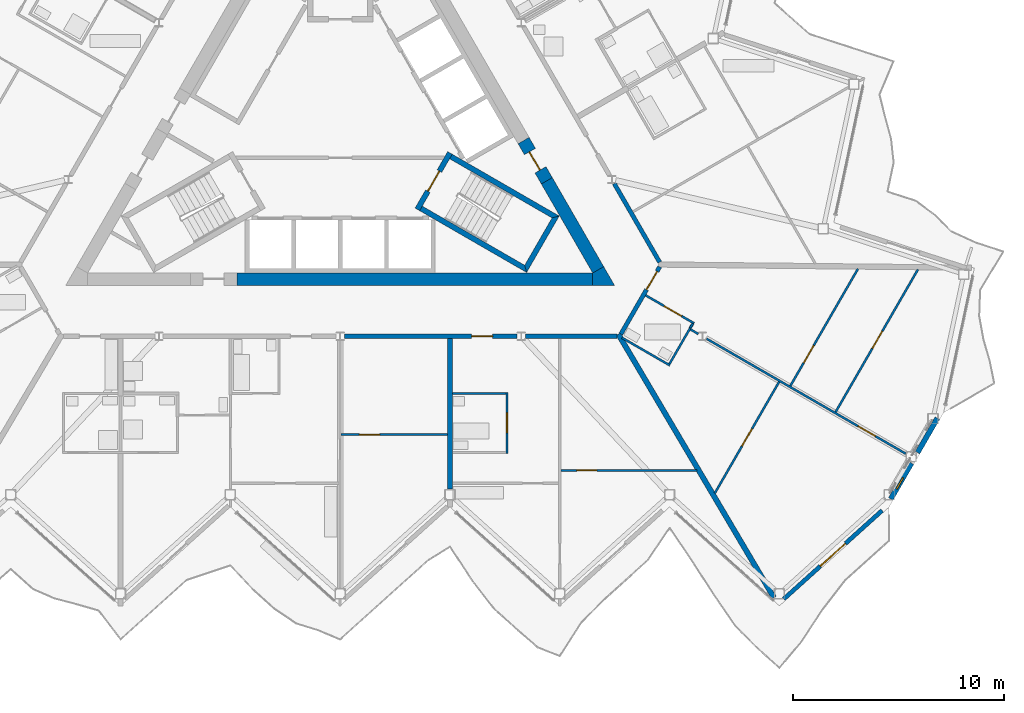
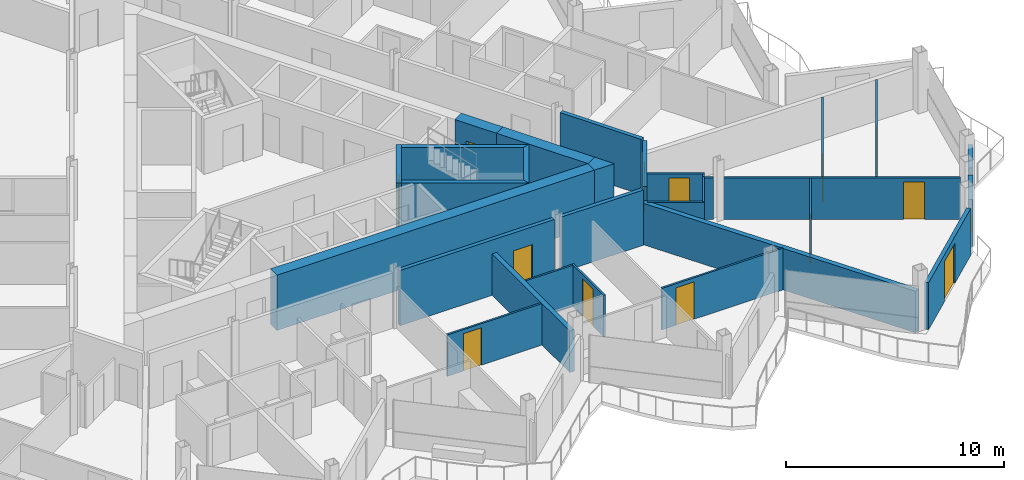
# One storey, part 15 of 26: 30 walls, 13 doors, 1 window, 14 openings.
"""IFC4 building model written with IfcOpenShell, lengths in metres."""

import ifcopenshell
import ifcopenshell.guid

model = None  # the IFC model being written
_history = None  # IfcOwnerHistory: only IFC2X3 demands one
_inside = {}  # id of a spatial element -> (the spatial element, [elements in it])
_under = {}  # id of a project, library or spatial element -> (it, [spatial elements below it])
_declared = {}  # id of a project -> (the project, [libraries it declares])
_typed = {}  # id of a type object -> (the type object, [elements of that type])
_made_of = {}  # id of a material, layer set ... -> (it, [elements and type objects made of it])


def new_model(schema):
    """Start an empty IFC model of exactly this schema.

    Asked for "IFC4X3", IfcOpenShell would pick the latest addendum, in which some entities
    have other attributes; the version numbers below select the first issue.
    IFC2X3 requires an IfcOwnerHistory on every rooted entity: one is made here for all.
    """
    global model, _history
    if schema == "IFC4X3":
        model = ifcopenshell.file(schema_version=(4, 3, 0, 0))
    else:
        model = ifcopenshell.file(schema=schema)
    _inside.clear()
    _under.clear()
    _declared.clear()
    _typed.clear()
    _made_of.clear()
    _history = None
    if model.schema == "IFC2X3":
        org = make("IfcOrganization", Name="unknown")
        user = make(
            "IfcPersonAndOrganization",
            ThePerson=make("IfcPerson", FamilyName="unknown"),
            TheOrganization=org,
        )
        app = make(
            "IfcApplication",
            ApplicationDeveloper=org,
            Version="unknown",
            ApplicationFullName="unknown",
            ApplicationIdentifier="unknown",
        )
        _history = make(
            "IfcOwnerHistory",
            OwningUser=user,
            OwningApplication=app,
            ChangeAction="ADDED",
            CreationDate=0,
        )
    return model


def make(cls, **values):
    """One entity of the class cls with the attributes given. An attribute that is None is left unset."""
    return model.create_entity(
        cls, **{name: value for name, value in values.items() if value is not None}
    )


def rooted(cls, **values):
    """An entity with a GlobalId (a new one), such as an element, a storey or a relation."""
    return make(cls, GlobalId=ifcopenshell.guid.new(), OwnerHistory=_history, **values)


def si_unit(unit_type, name, prefix=None):
    """IfcSIUnit, for example si_unit("LENGTHUNIT", "METRE", prefix="MILLI")."""
    return make("IfcSIUnit", UnitType=unit_type, Prefix=prefix, Name=name)


def assignment(units):
    """IfcUnitAssignment: the units of a project."""
    return None if units is None else make("IfcUnitAssignment", Units=units)


def point(xyz):
    """IfcCartesianPoint."""
    return None if xyz is None else make("IfcCartesianPoint", Coordinates=xyz)


def direction(xyz):
    """IfcDirection."""
    return None if xyz is None else make("IfcDirection", DirectionRatios=xyz)


def frame(location, z_axis=None, x_axis=None):
    """IfcAxis2Placement3D, a coordinate frame: its origin and axes. An axis left out is left unset."""
    return make(
        "IfcAxis2Placement3D",
        Location=point(location),
        Axis=direction(z_axis),
        RefDirection=direction(x_axis),
    )


def frame_2d(location, x_axis=None):
    """IfcAxis2Placement2D, a coordinate frame in the plane: its origin and x axis."""
    return make(
        "IfcAxis2Placement2D", Location=point(location), RefDirection=direction(x_axis)
    )


def origin():
    """The frame at (0, 0, 0) with its axes left unset."""
    return frame((0.0, 0.0, 0.0))


def place(relative_to, where):
    """IfcLocalPlacement: puts the frame where relative to a parent placement (None: the world)."""
    return make(
        "IfcLocalPlacement", PlacementRelTo=relative_to, RelativePlacement=where
    )


def context(
    kind, dimensions, precision=None, world=None, true_north=None, identifier=None
):
    """IfcGeometricRepresentationContext, for example the 3D "Model" context."""
    return make(
        "IfcGeometricRepresentationContext",
        ContextIdentifier=identifier,
        ContextType=kind,
        CoordinateSpaceDimension=dimensions,
        Precision=precision,
        WorldCoordinateSystem=world,
        TrueNorth=true_north,
    )


def subcontext(parent, identifier, kind, view, scale=None):
    """IfcGeometricRepresentationSubContext, for example "Body" below "Model"."""
    return make(
        "IfcGeometricRepresentationSubContext",
        ContextIdentifier=identifier,
        ContextType=kind,
        ParentContext=parent,
        TargetScale=scale,
        TargetView=view,
    )


def project(units=None, contexts=None):
    """IfcProject with its units and contexts."""
    return rooted(
        "IfcProject",
        Name="project",
        RepresentationContexts=contexts,
        UnitsInContext=assignment(units),
    )


def spatial(cls, under=None, at=None, **own):
    """A site, building, storey or space (cls), placed at a placement, below another one or the project."""
    s = rooted(cls, ObjectPlacement=at, **own)
    if under is not None:
        _under.setdefault(under.id(), (under, []))[1].append(s)
    return s


def polyline(points):
    """IfcPolyline through the points."""
    return make("IfcPolyline", Points=[point(p) for p in points])


def profile(cls, at=None, kind="AREA", **sizes):
    """A parametric profile (cls). Its sizes go by their IFC names, for example OverallWidth=200.0."""
    return make(cls, ProfileType=kind, Position=at, **sizes)


def rectangle(**sizes):
    """IfcRectangleProfileDef."""
    return profile("IfcRectangleProfileDef", **sizes)


def outline(outer, holes=None, kind="AREA"):
    """IfcArbitraryClosedProfileDef: a profile drawn as a closed curve; with holes, ...WithVoids."""
    if holes is None:
        return make("IfcArbitraryClosedProfileDef", ProfileType=kind, OuterCurve=outer)
    return make(
        "IfcArbitraryProfileDefWithVoids",
        ProfileType=kind,
        OuterCurve=outer,
        InnerCurves=holes,
    )


def extrude(swept, where, along, depth):
    """IfcExtrudedAreaSolid: the profile swept, set in the frame where, extruded along a direction by depth."""
    return make(
        "IfcExtrudedAreaSolid",
        SweptArea=swept,
        Position=where,
        ExtrudedDirection=direction(along),
        Depth=depth,
    )


def shape(context_of_items, identifier, shape_type, items):
    """IfcShapeRepresentation: the items that make up one representation, for example the "Body"."""
    return make(
        "IfcShapeRepresentation",
        ContextOfItems=context_of_items,
        RepresentationIdentifier=identifier,
        RepresentationType=shape_type,
        Items=items,
    )


def material(Name=None, Category=None):
    """IfcMaterial."""
    return make("IfcMaterial", Name=Name, Category=Category)


def layer(
    of_material, thickness, ventilated=None, Name=None, Category=None, Priority=None
):
    """IfcMaterialLayer: one layer of a wall or slab, of a material (None: an air gap)."""
    return make(
        "IfcMaterialLayer",
        Material=of_material,
        LayerThickness=thickness,
        IsVentilated=ventilated,
        Name=Name,
        Category=Category,
        Priority=Priority,
    )


def layer_set(layers, Name=None):
    """IfcMaterialLayerSet."""
    return make("IfcMaterialLayerSet", MaterialLayers=layers, LayerSetName=Name)


def made_of(thing, what):
    """Note that an element or type object is made of a material, layer set ...; save() writes the relation."""
    if what is not None:
        _made_of.setdefault(what.id(), (what, []))[1].append(thing)
    return thing


def type_object(cls, material=None, **own):
    """A type object (cls), such as IfcWallType, which elements share."""
    return made_of(rooted(cls, **own), material)


def element(
    cls,
    number,
    at=None,
    inside=None,
    cuts=None,
    type_object=None,
    material=None,
    context=None,
    identifier="Body",
    shape_type=None,
    held_by="IfcProductDefinitionShape",
    body=None,
    shapes=None,
    **own,
):
    """One element of the class cls, such as IfcWall. Its Tag is "e" and its number.

    at: its placement. inside: the storey or other place that contains it. cuts: it is an
    opening in that element (IfcRelVoidsElement). A single representation is given by context,
    identifier, shape_type and body (its items); several are given by shapes. held_by: the class
    of the entity that holds the representations. save() writes the other relations.
    """
    e = rooted(cls, Tag="e%d" % number, ObjectPlacement=at, **own)
    if body is not None:
        shapes = [shape(context, identifier, shape_type, body)]
    if shapes is not None:
        e.Representation = make(held_by, Representations=shapes)
    if inside is not None:
        _inside.setdefault(inside.id(), (inside, []))[1].append(e)
    if cuts is not None:
        rooted(
            "IfcRelVoidsElement", RelatingBuildingElement=cuts, RelatedOpeningElement=e
        )
    if type_object is not None:
        _typed.setdefault(type_object.id(), (type_object, []))[1].append(e)
    return made_of(e, material)


def fill(opening, filler):
    """IfcRelFillsElement: the door or window that sits in an opening."""
    return rooted(
        "IfcRelFillsElement",
        RelatingOpeningElement=opening,
        RelatedBuildingElement=filler,
    )


def aggregate(whole, parts):
    """IfcRelAggregates: a whole, such as a stair, and the parts it consists of."""
    return rooted("IfcRelAggregates", RelatingObject=whole, RelatedObjects=parts)


def save(model, path):
    """Write the relations noted so far, then the file.

    IfcRelAggregates (storeys below a building ...), IfcRelContainedInSpatialStructure (elements
    in a storey), IfcRelDefinesByType, IfcRelAssociatesMaterial and IfcRelDeclares: one each for
    every whole, place, type object, material and project.
    """
    for whole, parts in _under.values():
        aggregate(whole, parts)
    for where, things in _inside.values():
        rooted(
            "IfcRelContainedInSpatialStructure",
            RelatedElements=things,
            RelatingStructure=where,
        )
    for kind, things in _typed.values():
        rooted("IfcRelDefinesByType", RelatedObjects=things, RelatingType=kind)
    for what, things in _made_of.values():
        rooted("IfcRelAssociatesMaterial", RelatedObjects=things, RelatingMaterial=what)
    for by, libraries in _declared.values():
        rooted("IfcRelDeclares", RelatingContext=by, RelatedDefinitions=libraries)
    model.write(path)


model = new_model("IFC4")

# Units and contexts
model_context = context("Model", 3, precision=1e-05, world=origin(), true_north=direction((0.0, 1.0)))
body_context = subcontext(model_context, "Body", "Model", "MODEL_VIEW")
ifc_project = project(units=[si_unit("LENGTHUNIT", "METRE"), si_unit("AREAUNIT", "SQUARE_METRE"), si_unit("VOLUMEUNIT", "CUBIC_METRE"), si_unit("PLANEANGLEUNIT", "RADIAN"), si_unit("MASSUNIT", "GRAM", prefix="KILO")], contexts=[model_context])

# Site, building, storey
site_placement = place(None, origin())
site = spatial("IfcSite", under=ifc_project, at=site_placement, CompositionType="ELEMENT")
building_placement = place(site_placement, origin())
building = spatial("IfcBuilding", under=site, at=building_placement, Name="Cormorant Prow Tower", CompositionType="ELEMENT")
storey_placement = place(building_placement, frame((0.0, 0.0, 378.0)))
storey = spatial("IfcBuildingStorey", under=building, at=storey_placement, Name="L85", CompositionType="ELEMENT", Elevation=378.0)

# Walls
ifc_material_1 = material(Name="Concrete 8000 psi", Category="concrete")
ifc_layer_1 = layer(ifc_material_1, 0.60009765625)
ifc_layer_set_1 = layer_set([ifc_layer_1], Name="Concrete 8000 psi")
wall_type_1 = type_object("IfcWallType", Name="Core shear wall 600", PredefinedType="SHEAR", material=ifc_layer_set_1)
wall_1_placement = place(storey_placement, frame((-4.89208984375, -7.20556640625, 0.0), z_axis=(0.0, 0.0, 1.0), x_axis=(1.0, 0.0, 0.0)))
element("IfcWall", 1, at=wall_1_placement, inside=storey, type_object=wall_type_1, Name="Core wall", PredefinedType="SHEAR", context=body_context, shape_type="SweptSolid", body=[
    extrude(rectangle(XDim=16.852783203125, YDim=0.60009765625, at=frame_2d((8.42626953125, 0.0))), origin(), (0.0, 0.0, 1.0), 3.10009765625),
])
wall_2_placement = place(storey_placement, frame((12.220703125, -6.755615234375, 0.0), z_axis=(0.0, 0.0, 1.0), x_axis=(-0.50000604952, 0.866021911064, 0.0)))
element("IfcWall", 2, at=wall_2_placement, inside=storey, type_object=wall_type_1, Name="Core wall", PredefinedType="SHEAR", context=body_context, shape_type="SweptSolid", body=[
    extrude(rectangle(XDim=4.86865234375, YDim=0.60009765625, at=frame_2d((2.434326171875, 0.0))), origin(), (0.0, 0.0, 1.0), 3.10009765625),
])
wall_3_placement = place(storey_placement, origin())
element("IfcWall", 3, at=wall_3_placement, inside=storey, type_object=wall_type_1, Name="Core wall corner", PredefinedType="SHEAR", context=body_context, shape_type="SweptSolid", body=[
    extrude(outline(polyline([(11.960693359375, -7.505615234375), (11.960693359375, -6.905517578125), (12.48046875, -6.605712890625), (13.0, -7.505615234375), (11.960693359375, -7.505615234375)])), origin(), (0.0, 0.0, 1.0), 3.10009765625),
])

# Wall, opening, door
wall_4_placement = place(storey_placement, frame((9.786376953125, -2.539306640625, 0.0), z_axis=(0.0, 0.0, 1.0), x_axis=(-0.499981787252, 0.866035918664, 0.0)))
wall_4 = element("IfcWall", 4, at=wall_4_placement, inside=storey, type_object=wall_type_1, Name="Core wall door panel", PredefinedType="SHEAR", context=body_context, shape_type="SweptSolid", body=[
    extrude(rectangle(XDim=2.2001953125, YDim=0.60009765625, at=frame_2d((1.10009765625, 0.0))), origin(), (0.0, 0.0, 1.0), 3.10009765625),
])
opening_1_placement = place(wall_4_placement, frame((0.60009765625, 0.0, 0.0)))
opening_1 = element("IfcOpeningElement", 5, at=opening_1_placement, cuts=wall_4, Name="Opening L85-C15", PredefinedType="OPENING", context=body_context, shape_type="SweptSolid", body=[
    extrude(rectangle(XDim=1.0, YDim=2.10009765625, at=frame_2d((0.5, 1.050048828125))), frame((0.0, 0.31005859375, 0.0), z_axis=(0.0, -1.0, 0.0), x_axis=(1.0, 0.0, 0.0)), (0.0, 0.0, 1.0), 0.6201171875),
])
ifc_material_2 = material(Name="Painted steel", Category="steel")
door_type_1 = type_object("IfcDoorType", Name="Service door 1000x2100", OperationType="NOTDEFINED", PredefinedType="DOOR", material=ifc_material_2)
door_1_placement = place(opening_1_placement, origin())
door_1 = element("IfcDoor", 6, at=door_1_placement, inside=storey, type_object=door_type_1, Name="Core door, Electrical room", OperationType="SINGLE_SWING_LEFT", OverallHeight=2.10009765625, OverallWidth=1.0, PredefinedType="DOOR", context=body_context, shape_type="SweptSolid", body=[
    extrude(rectangle(XDim=1.0, YDim=2.10009765625, at=frame_2d((0.5, 1.050048828125))), frame((0.0, 0.05517578125, 0.0), z_axis=(0.0, -1.0, 0.0), x_axis=(1.0, 0.0, 0.0)), (0.0, 0.0, 1.0), 0.050048828125),
])
fill(opening_1, door_1)

ifc_material_3 = material(Name="Gypsum board corridor wall")
ifc_layer_2 = layer(ifc_material_3, 0.199951171875)
ifc_layer_set_2 = layer_set([ifc_layer_2], Name="Gypsum board corridor wall")
wall_type_2 = type_object("IfcWallType", Name="Corridor wall 200", PredefinedType="PARTITIONING", material=ifc_layer_set_2)
wall_5_placement = place(storey_placement, frame((0.197021484375, -9.905517578125, 0.0), z_axis=(0.0, 0.0, 1.0), x_axis=(1.0, 0.0, 0.0)))
wall_5 = element("IfcWall", 7, at=wall_5_placement, inside=storey, type_object=wall_type_2, Name="Corridor wall", PredefinedType="PARTITIONING", context=body_context, shape_type="SweptSolid", body=[
    extrude(rectangle(XDim=8.1845703125, YDim=0.199951171875, at=frame_2d((4.09228515625, 0.0))), origin(), (0.0, 0.0, 1.0), 3.10009765625),
])
opening_2_placement = place(wall_5_placement, frame((6.02294921875, 0.0, 0.0)))
opening_2 = element("IfcOpeningElement", 8, at=opening_2_placement, cuts=wall_5, Name="Opening L85-F11", PredefinedType="OPENING", context=body_context, shape_type="SweptSolid", body=[
    extrude(rectangle(XDim=1.0, YDim=2.10009765625, at=frame_2d((0.5, 1.050048828125))), frame((0.0, 0.10986328125, 0.0), z_axis=(0.0, -1.0, 0.0), x_axis=(1.0, 0.0, 0.0)), (0.0, 0.0, 1.0), 0.219970703125),
])
ifc_material_4 = material(Name="Timber door leaf", Category="wood")
door_type_2 = type_object("IfcDoorType", Name="Flat or room entrance door 1000x2100", OperationType="NOTDEFINED", PredefinedType="DOOR", material=ifc_material_4)
door_2_placement = place(opening_2_placement, origin())
door_2 = element("IfcDoor", 9, at=door_2_placement, inside=storey, type_object=door_type_2, Name="Living room door", OperationType="SINGLE_SWING_LEFT", OverallHeight=2.10009765625, OverallWidth=1.0, PredefinedType="DOOR", context=body_context, shape_type="SweptSolid", body=[
    extrude(rectangle(XDim=1.0, YDim=2.10009765625, at=frame_2d((0.5, 1.050048828125))), frame((0.0, 0.02490234375, 0.0), z_axis=(0.0, -1.0, 0.0), x_axis=(1.0, 0.0, 0.0)), (0.0, 0.0, 1.0), 0.050048828125),
])
fill(opening_2, door_2)

# Walls
wall_6_placement = place(storey_placement, frame((8.775390625, -9.905517578125, 0.0), z_axis=(0.0, 0.0, 1.0), x_axis=(1.0, 0.0, 0.0)))
element("IfcWall", 10, at=wall_6_placement, inside=storey, type_object=wall_type_2, Name="Corridor wall", PredefinedType="PARTITIONING", context=body_context, shape_type="SweptSolid", body=[
    extrude(rectangle(XDim=4.33056640625, YDim=0.199951171875, at=frame_2d((2.165283203125, 0.0))), origin(), (0.0, 0.0, 1.0), 3.10009765625),
])
wall_7_placement = place(storey_placement, frame((12.9814453125, -2.67333984375, 0.0), z_axis=(0.0, 0.0, 1.0), x_axis=(0.499986217557, -0.866033360935, 0.0)))
element("IfcWall", 11, at=wall_7_placement, inside=storey, type_object=wall_type_2, Name="Corridor wall", PredefinedType="PARTITIONING", context=body_context, shape_type="SweptSolid", body=[
    extrude(rectangle(XDim=4.2998046875, YDim=0.199951171875, at=frame_2d((2.14990234375, 0.0))), origin(), (0.0, 0.0, 1.0), 3.10009765625),
])

# Wall, opening, door
wall_8_placement = place(storey_placement, frame((13.29345703125, -9.79736328125, 0.0), z_axis=(0.0, 0.0, 1.0), x_axis=(0.499967746641, 0.866044024469, 0.0)))
wall_8 = element("IfcWall", 12, at=wall_8_placement, inside=storey, type_object=wall_type_2, Name="Corridor wall", PredefinedType="PARTITIONING", context=body_context, shape_type="SweptSolid", body=[
    extrude(rectangle(XDim=3.676025390625, YDim=0.199951171875, at=frame_2d((1.837890625, 0.0))), origin(), (0.0, 0.0, 1.0), 3.10009765625),
])
opening_3_placement = place(wall_8_placement, frame((2.426025390625, 0.0, 0.0)))
opening_3 = element("IfcOpeningElement", 13, at=opening_3_placement, cuts=wall_8, Name="Opening L85-F16", PredefinedType="OPENING", context=body_context, shape_type="SweptSolid", body=[
    extrude(rectangle(XDim=1.0, YDim=2.10009765625, at=frame_2d((0.5, 1.050048828125))), frame((0.0, 0.10986328125, 0.0), z_axis=(0.0, -1.0, 0.0), x_axis=(1.0, 0.0, 0.0)), (0.0, 0.0, 1.0), 0.219970703125),
])
door_3_placement = place(opening_3_placement, origin())
door_3 = element("IfcDoor", 14, at=door_3_placement, inside=storey, type_object=door_type_2, Name="Living room door", OperationType="SINGLE_SWING_RIGHT", OverallHeight=2.10009765625, OverallWidth=1.0, PredefinedType="DOOR", context=body_context, shape_type="SweptSolid", body=[
    extrude(rectangle(XDim=1.0, YDim=2.10009765625, at=frame_2d((0.5, 1.050048828125))), frame((0.0, 0.02490234375, 0.0), z_axis=(0.0, -1.0, 0.0), x_axis=(1.0, 0.0, 0.0)), (0.0, 0.0, 1.0), 0.050048828125),
])
fill(opening_3, door_3)

ifc_material_5 = material(Name="Gypsum board partition")
ifc_layer_3 = layer(ifc_material_5, 0.10009765625)
ifc_layer_set_3 = layer_set([ifc_layer_3], Name="Gypsum board partition")
wall_type_3 = type_object("IfcWallType", Name="Internal partition 100", PredefinedType="PARTITIONING", material=ifc_layer_set_3)
wall_9_placement = place(storey_placement, frame((17.35400390625, -10.019287109375, 0.0), z_axis=(0.0, 0.0, 1.0), x_axis=(0.866019680922, -0.500009912158, 0.0)))
wall_9 = element("IfcWall", 15, at=wall_9_placement, inside=storey, type_object=wall_type_3, Name="Internal partition", PredefinedType="PARTITIONING", context=body_context, shape_type="SweptSolid", body=[
    extrude(rectangle(XDim=10.880615234375, YDim=0.10009765625, at=frame_2d((5.4404296875, 0.0))), origin(), (0.0, 0.0, 1.0), 2.330078125),
])
opening_4_placement = place(wall_9_placement, frame((8.276123046875, 0.0, 0.0)))
opening_4 = element("IfcOpeningElement", 16, at=opening_4_placement, cuts=wall_9, Name="Opening L85-F20", PredefinedType="OPENING", context=body_context, shape_type="SweptSolid", body=[
    extrude(rectangle(XDim=0.949951171875, YDim=2.10009765625, at=frame_2d((0.47509765625, 1.050048828125))), frame((0.0, 0.06005859375, 0.0), z_axis=(0.0, -1.0, 0.0), x_axis=(1.0, 0.0, 0.0)), (0.0, 0.0, 1.0), 0.1201171875),
])
ifc_material_6 = material(Name="Timber door leaf", Category="wood")
door_type_3 = type_object("IfcDoorType", Name="Bathroom door 950x2100", OperationType="NOTDEFINED", PredefinedType="DOOR", material=ifc_material_6)
door_4_placement = place(opening_4_placement, origin())
door_4 = element("IfcDoor", 17, at=door_4_placement, inside=storey, type_object=door_type_3, Name="Dining room door", OperationType="SINGLE_SWING_RIGHT", OverallHeight=2.10009765625, OverallWidth=0.949951171875, PredefinedType="DOOR", context=body_context, shape_type="SweptSolid", body=[
    extrude(rectangle(XDim=0.949951171875, YDim=2.10009765625, at=frame_2d((0.47509765625, 1.050048828125))), frame((0.0, 0.02490234375, 0.0), z_axis=(0.0, -1.0, 0.0), x_axis=(1.0, 0.0, 0.0)), (0.0, 0.0, 1.0), 0.050048828125),
])
fill(opening_4, door_4)

wall_10_placement = place(storey_placement, frame((23.462646484375, -13.48828125, 0.0), z_axis=(0.0, 0.0, 1.0), x_axis=(0.500012519194, 0.866018175704, 0.0)))
wall_10 = element("IfcWall", 18, at=wall_10_placement, inside=storey, type_object=wall_type_3, Name="Internal partition", PredefinedType="PARTITIONING", context=body_context, shape_type="SweptSolid", body=[
    extrude(rectangle(XDim=7.795654296875, YDim=0.10009765625, at=frame_2d((3.89794921875, 0.0))), origin(), (0.0, 0.0, 1.0), 2.330078125),
])
opening_5_placement = place(wall_10_placement, frame((3.47314453125, 0.0, 0.0)))
opening_5 = element("IfcOpeningElement", 19, at=opening_5_placement, cuts=wall_10, Name="Opening L85-F19", PredefinedType="OPENING", context=body_context, shape_type="SweptSolid", body=[
    extrude(rectangle(XDim=0.949951171875, YDim=2.10009765625, at=frame_2d((0.47509765625, 1.050048828125))), frame((0.0, 0.06005859375, 0.0), z_axis=(0.0, -1.0, 0.0), x_axis=(1.0, 0.0, 0.0)), (0.0, 0.0, 1.0), 0.1201171875),
])
door_5_placement = place(opening_5_placement, origin())
door_5 = element("IfcDoor", 20, at=door_5_placement, inside=storey, type_object=door_type_3, Name="Kitchen door", OperationType="SINGLE_SWING_LEFT", OverallHeight=2.10009765625, OverallWidth=0.949951171875, PredefinedType="DOOR", context=body_context, shape_type="SweptSolid", body=[
    extrude(rectangle(XDim=0.949951171875, YDim=2.10009765625, at=frame_2d((0.47509765625, 1.050048828125))), frame((0.0, 0.02490234375, 0.0), z_axis=(0.0, -1.0, 0.0), x_axis=(1.0, 0.0, 0.0)), (0.0, 0.0, 1.0), 0.050048828125),
])
fill(opening_5, door_5)

wall_11_placement = place(storey_placement, frame((21.3193359375, -12.2509765625, 0.0), z_axis=(0.0, 0.0, 1.0), x_axis=(0.499999833739, 0.866025499775, 0.0)))
wall_11 = element("IfcWall", 21, at=wall_11_placement, inside=storey, type_object=wall_type_3, Name="Internal partition", PredefinedType="PARTITIONING", context=body_context, shape_type="SweptSolid", body=[
    extrude(rectangle(XDim=6.39990234375, YDim=0.10009765625, at=frame_2d((3.199951171875, 0.0))), origin(), (0.0, 0.0, 1.0), 2.330078125),
])
opening_6_placement = place(wall_11_placement, frame((1.26025390625, 0.0, 0.0)))
opening_6 = element("IfcOpeningElement", 22, at=opening_6_placement, cuts=wall_11, Name="Opening L85-F18", PredefinedType="OPENING", context=body_context, shape_type="SweptSolid", body=[
    extrude(rectangle(XDim=0.949951171875, YDim=2.10009765625, at=frame_2d((0.47509765625, 1.050048828125))), frame((0.0, 0.06005859375, 0.0), z_axis=(0.0, -1.0, 0.0), x_axis=(1.0, 0.0, 0.0)), (0.0, 0.0, 1.0), 0.1201171875),
])
door_6_placement = place(opening_6_placement, origin())
door_6 = element("IfcDoor", 23, at=door_6_placement, inside=storey, type_object=door_type_3, Name="Living room door", OperationType="SINGLE_SWING_LEFT", OverallHeight=2.10009765625, OverallWidth=0.949951171875, PredefinedType="DOOR", context=body_context, shape_type="SweptSolid", body=[
    extrude(rectangle(XDim=0.949951171875, YDim=2.10009765625, at=frame_2d((0.47509765625, 1.050048828125))), frame((0.0, 0.02490234375, 0.0), z_axis=(0.0, -1.0, 0.0), x_axis=(1.0, 0.0, 0.0)), (0.0, 0.0, 1.0), 0.050048828125),
])
fill(opening_6, door_6)

wall_12_placement = place(storey_placement, frame((10.449951171875, -16.254638671875, 0.0), z_axis=(0.0, 0.0, 1.0), x_axis=(1.0, 0.0, 0.0)))
wall_12 = element("IfcWall", 24, at=wall_12_placement, inside=storey, type_object=wall_type_3, Name="Internal partition", PredefinedType="PARTITIONING", context=body_context, shape_type="SweptSolid", body=[
    extrude(rectangle(XDim=6.446533203125, YDim=0.10009765625, at=frame_2d((3.22314453125, 0.0))), origin(), (0.0, 0.0, 1.0), 2.330078125),
])
opening_7_placement = place(wall_12_placement, frame((0.759765625, 0.0, 0.0)))
opening_7 = element("IfcOpeningElement", 25, at=opening_7_placement, cuts=wall_12, Name="Opening L85-F15", PredefinedType="OPENING", context=body_context, shape_type="SweptSolid", body=[
    extrude(rectangle(XDim=0.949951171875, YDim=2.10009765625, at=frame_2d((0.47509765625, 1.050048828125))), frame((0.0, 0.06005859375, 0.0), z_axis=(0.0, -1.0, 0.0), x_axis=(1.0, 0.0, 0.0)), (0.0, 0.0, 1.0), 0.1201171875),
])
door_7_placement = place(opening_7_placement, origin())
door_7 = element("IfcDoor", 26, at=door_7_placement, inside=storey, type_object=door_type_3, Name="Bedroom door", OperationType="SINGLE_SWING_LEFT", OverallHeight=2.10009765625, OverallWidth=0.949951171875, PredefinedType="DOOR", context=body_context, shape_type="SweptSolid", body=[
    extrude(rectangle(XDim=0.949951171875, YDim=2.10009765625, at=frame_2d((0.47509765625, 1.050048828125))), frame((0.0, 0.02490234375, 0.0), z_axis=(0.0, -1.0, 0.0), x_axis=(1.0, 0.0, 0.0)), (0.0, 0.0, 1.0), 0.050048828125),
])
fill(opening_7, door_7)

wall_13_placement = place(storey_placement, frame((17.743896484375, -17.329345703125, 0.0), z_axis=(0.0, 0.0, 1.0), x_axis=(0.49997479812, 0.866039953608, 0.0)))
wall_13 = element("IfcWall", 27, at=wall_13_placement, inside=storey, type_object=wall_type_3, Name="Internal partition", PredefinedType="PARTITIONING", context=body_context, shape_type="SweptSolid", body=[
    extrude(rectangle(XDim=6.085693359375, YDim=0.10009765625, at=frame_2d((3.04296875, 0.0))), origin(), (0.0, 0.0, 1.0), 2.330078125),
])
opening_8_placement = place(wall_13_placement, frame((2.56787109375, 0.0, 0.0)))
opening_8 = element("IfcOpeningElement", 28, at=opening_8_placement, cuts=wall_13, Name="Opening L85-F21", PredefinedType="OPENING", context=body_context, shape_type="SweptSolid", body=[
    extrude(rectangle(XDim=0.949951171875, YDim=2.10009765625, at=frame_2d((0.47509765625, 1.050048828125))), frame((0.0, 0.06005859375, 0.0), z_axis=(0.0, -1.0, 0.0), x_axis=(1.0, 0.0, 0.0)), (0.0, 0.0, 1.0), 0.1201171875),
])
door_8_placement = place(opening_8_placement, origin())
door_8 = element("IfcDoor", 29, at=door_8_placement, inside=storey, type_object=door_type_3, Name="Principal bedroom door", OperationType="SINGLE_SWING_RIGHT", OverallHeight=2.10009765625, OverallWidth=0.949951171875, PredefinedType="DOOR", context=body_context, shape_type="SweptSolid", body=[
    extrude(rectangle(XDim=0.949951171875, YDim=2.10009765625, at=frame_2d((0.47509765625, 1.050048828125))), frame((0.0, 0.02490234375, 0.0), z_axis=(0.0, -1.0, 0.0), x_axis=(1.0, 0.0, 0.0)), (0.0, 0.0, 1.0), 0.050048828125),
])
fill(opening_8, door_8)

wall_14_placement = place(storey_placement, frame((0.050048828125, -14.555419921875, 0.0), z_axis=(0.0, 0.0, 1.0), x_axis=(1.0, 0.0, 0.0)))
wall_14 = element("IfcWall", 30, at=wall_14_placement, inside=storey, type_object=wall_type_3, Name="Internal partition", PredefinedType="PARTITIONING", context=body_context, shape_type="SweptSolid", body=[
    extrude(rectangle(XDim=5.02490234375, YDim=0.10009765625, at=frame_2d((2.512451171875, 0.0))), origin(), (0.0, 0.0, 1.0), 2.330078125),
])
opening_9_placement = place(wall_14_placement, frame((0.86279296875, 0.0, 0.0)))
opening_9 = element("IfcOpeningElement", 31, at=opening_9_placement, cuts=wall_14, Name="Opening L85-F09", PredefinedType="OPENING", context=body_context, shape_type="SweptSolid", body=[
    extrude(rectangle(XDim=0.949951171875, YDim=2.10009765625, at=frame_2d((0.47509765625, 1.050048828125))), frame((0.0, 0.06005859375, 0.0), z_axis=(0.0, -1.0, 0.0), x_axis=(1.0, 0.0, 0.0)), (0.0, 0.0, 1.0), 0.1201171875),
])
door_9_placement = place(opening_9_placement, origin())
door_9 = element("IfcDoor", 32, at=door_9_placement, inside=storey, type_object=door_type_3, Name="Bedroom door", OperationType="SINGLE_SWING_LEFT", OverallHeight=2.10009765625, OverallWidth=0.949951171875, PredefinedType="DOOR", context=body_context, shape_type="SweptSolid", body=[
    extrude(rectangle(XDim=0.949951171875, YDim=2.10009765625, at=frame_2d((0.47509765625, 1.050048828125))), frame((0.0, 0.02490234375, 0.0), z_axis=(0.0, -1.0, 0.0), x_axis=(1.0, 0.0, 0.0)), (0.0, 0.0, 1.0), 0.050048828125),
])
fill(opening_9, door_9)

wall_15_placement = place(storey_placement, frame((7.89990234375, -15.45556640625, 0.0), z_axis=(0.0, 0.0, 1.0), x_axis=(0.0, 1.0, 0.0)))
wall_15 = element("IfcWall", 33, at=wall_15_placement, inside=storey, type_object=wall_type_3, Name="Internal partition", PredefinedType="PARTITIONING", context=body_context, shape_type="SweptSolid", body=[
    extrude(rectangle(XDim=2.89990234375, YDim=0.10009765625, at=frame_2d((1.449951171875, 0.0))), origin(), (0.0, 0.0, 1.0), 2.330078125),
])
opening_10_placement = place(wall_15_placement, frame((0.97509765625, 0.0, 0.0)))
opening_10 = element("IfcOpeningElement", 34, at=opening_10_placement, cuts=wall_15, Name="Opening L85-F12", PredefinedType="OPENING", context=body_context, shape_type="SweptSolid", body=[
    extrude(rectangle(XDim=0.949951171875, YDim=2.10009765625, at=frame_2d((0.47509765625, 1.050048828125))), frame((0.0, 0.06005859375, 0.0), z_axis=(0.0, -1.0, 0.0), x_axis=(1.0, 0.0, 0.0)), (0.0, 0.0, 1.0), 0.1201171875),
])
door_10_placement = place(opening_10_placement, origin())
door_10 = element("IfcDoor", 35, at=door_10_placement, inside=storey, type_object=door_type_3, Name="Living room door", OperationType="SINGLE_SWING_LEFT", OverallHeight=2.10009765625, OverallWidth=0.949951171875, PredefinedType="DOOR", context=body_context, shape_type="SweptSolid", body=[
    extrude(rectangle(XDim=0.949951171875, YDim=2.10009765625, at=frame_2d((0.47509765625, 1.050048828125))), frame((0.0, 0.02490234375, 0.0), z_axis=(0.0, -1.0, 0.0), x_axis=(1.0, 0.0, 0.0)), (0.0, 0.0, 1.0), 0.050048828125),
])
fill(opening_10, door_10)

# Walls
wall_16_placement = place(storey_placement, frame((13.339111328125, -9.968017578125, 0.0), z_axis=(0.0, 0.0, 1.0), x_axis=(0.866013657776, -0.500020344131, 0.0)))
element("IfcWall", 36, at=wall_16_placement, inside=storey, type_object=wall_type_3, Name="Internal partition", PredefinedType="PARTITIONING", context=body_context, shape_type="SweptSolid", body=[
    extrude(rectangle(XDim=2.625, YDim=0.10009765625, at=frame_2d((1.3125, 0.0))), origin(), (0.0, 0.0, 1.0), 2.330078125),
])
wall_17_placement = place(storey_placement, frame((5.324951171875, -12.605712890625, 0.0), z_axis=(0.0, 0.0, 1.0), x_axis=(1.0, 0.0, 0.0)))
element("IfcWall", 37, at=wall_17_placement, inside=storey, type_object=wall_type_3, Name="Internal partition", PredefinedType="PARTITIONING", context=body_context, shape_type="SweptSolid", body=[
    extrude(rectangle(XDim=2.525146484375, YDim=0.10009765625, at=frame_2d((1.2626953125, 0.0))), origin(), (0.0, 0.0, 1.0), 2.330078125),
])

# Wall, opening, door
wall_18_placement = place(storey_placement, frame((14.46728515625, -7.963623046875, 0.0), z_axis=(0.0, 0.0, 1.0), x_axis=(0.866062824362, -0.499935180056, 0.0)))
wall_18 = element("IfcWall", 38, at=wall_18_placement, inside=storey, type_object=wall_type_3, Name="Internal partition", PredefinedType="PARTITIONING", context=body_context, shape_type="SweptSolid", body=[
    extrude(rectangle(XDim=2.649169921875, YDim=0.10009765625, at=frame_2d((1.32470703125, 0.0))), origin(), (0.0, 0.0, 1.0), 2.330078125),
])
opening_11_placement = place(wall_18_placement, frame((1.01318359375, 0.0, 0.0)))
opening_11 = element("IfcOpeningElement", 39, at=opening_11_placement, cuts=wall_18, Name="Opening L85-F17", PredefinedType="OPENING", context=body_context, shape_type="SweptSolid", body=[
    extrude(rectangle(XDim=0.949951171875, YDim=2.10009765625, at=frame_2d((0.47509765625, 1.050048828125))), frame((0.0, 0.06005859375, 0.0), z_axis=(0.0, -1.0, 0.0), x_axis=(1.0, 0.0, 0.0)), (0.0, 0.0, 1.0), 0.1201171875),
])
door_11_placement = place(opening_11_placement, origin())
door_11 = element("IfcDoor", 40, at=door_11_placement, inside=storey, type_object=door_type_3, Name="Living room door", OperationType="SINGLE_SWING_RIGHT", OverallHeight=2.10009765625, OverallWidth=0.949951171875, PredefinedType="DOOR", context=body_context, shape_type="SweptSolid", body=[
    extrude(rectangle(XDim=0.949951171875, YDim=2.10009765625, at=frame_2d((0.47509765625, 1.050048828125))), frame((0.0, 0.02490234375, 0.0), z_axis=(0.0, -1.0, 0.0), x_axis=(1.0, 0.0, 0.0)), (0.0, 0.0, 1.0), 0.050048828125),
])
fill(opening_11, door_11)

# Walls
wall_19_placement = place(storey_placement, frame((15.593994140625, -11.21240234375, 0.0), z_axis=(0.0, 0.0, 1.0), x_axis=(0.499958068602, 0.866049611535, 0.0)))
element("IfcWall", 41, at=wall_19_placement, inside=storey, type_object=wall_type_3, Name="Internal partition", PredefinedType="PARTITIONING", context=body_context, shape_type="SweptSolid", body=[
    extrude(rectangle(XDim=1.973388671875, YDim=0.10009765625, at=frame_2d((0.98681640625, 0.0))), origin(), (0.0, 0.0, 1.0), 2.330078125),
])
wall_20_placement = place(storey_placement, frame((16.593994140625, -9.58056640625, 0.0), z_axis=(0.0, 0.0, 1.0), x_axis=(0.866137484628, -0.499805820016, 0.0)))
element("IfcWall", 42, at=wall_20_placement, inside=storey, type_object=wall_type_3, Name="Internal partition", PredefinedType="PARTITIONING", context=body_context, shape_type="SweptSolid", body=[
    extrude(rectangle(XDim=0.422607421875, YDim=0.10009765625, at=frame_2d((0.21142578125, 0.0))), origin(), (0.0, 0.0, 1.0), 2.330078125),
])
wall_21_placement = place(storey_placement, frame((16.581787109375, -9.501220703125, 0.0), z_axis=(0.0, 0.0, 1.0), x_axis=(0.49742780181, 0.86750537865, 0.0)))
element("IfcWall", 43, at=wall_21_placement, inside=storey, type_object=wall_type_3, Name="Internal partition", PredefinedType="PARTITIONING", context=body_context, shape_type="SweptSolid", body=[
    extrude(rectangle(XDim=0.224365234375, YDim=0.10009765625, at=frame_2d((0.1123046875, 0.0))), origin(), (0.0, 0.0, 1.0), 2.330078125),
])
ifc_material_7 = material(Name="Concrete 8000 psi", Category="concrete")
ifc_layer_4 = layer(ifc_material_7, 0.25)
ifc_layer_set_4 = layer_set([ifc_layer_4], Name="Concrete 8000 psi")
wall_type_4 = type_object("IfcWallType", Name="Stair wall 250", PredefinedType="SHEAR", material=ifc_layer_set_4)
wall_22_placement = place(storey_placement, origin())
element("IfcWall", 44, at=wall_22_placement, inside=storey, type_object=wall_type_4, Name="Stair ST2 enclosure wall (flank)", PredefinedType="SHEAR", context=body_context, shape_type="SweptSolid", body=[
    extrude(outline(polyline([(3.76318359375, -3.95556640625), (8.82958984375, -6.880615234375), (8.738037109375, -6.5390625), (3.88818359375, -3.739013671875), (3.76318359375, -3.95556640625)])), origin(), (0.0, 0.0, 1.0), 3.10009765625),
])
wall_23_placement = place(storey_placement, origin())
element("IfcWall", 45, at=wall_23_placement, inside=storey, type_object=wall_type_4, Name="Stair ST2 enclosure wall (end)", PredefinedType="SHEAR", context=body_context, shape_type="SweptSolid", body=[
    extrude(outline(polyline([(8.82958984375, -6.880615234375), (10.37353515625, -4.206298828125), (10.031982421875, -4.2978515625), (8.738037109375, -6.5390625), (8.82958984375, -6.880615234375)])), origin(), (0.0, 0.0, 1.0), 3.10009765625),
])
wall_24_placement = place(storey_placement, origin())
element("IfcWall", 46, at=wall_24_placement, inside=storey, type_object=wall_type_4, Name="Stair ST2 enclosure wall (flank)", PredefinedType="SHEAR", context=body_context, shape_type="SweptSolid", body=[
    extrude(outline(polyline([(10.031982421875, -4.2978515625), (10.37353515625, -4.206298828125), (5.30712890625, -1.28125), (5.18212890625, -1.497802734375), (10.031982421875, -4.2978515625)])), origin(), (0.0, 0.0, 1.0), 3.10009765625),
])

# Wall, opening, door
wall_25_placement = place(storey_placement, frame((3.655029296875, -3.89306640625, 0.0), z_axis=(0.0, 0.0, 1.0), x_axis=(0.499982516597, 0.866035497597, 0.0)))
wall_25 = element("IfcWall", 47, at=wall_25_placement, inside=storey, type_object=wall_type_4, Name="Stair ST2 door wall", PredefinedType="SHEAR", context=body_context, shape_type="SweptSolid", body=[
    extrude(rectangle(XDim=3.087890625, YDim=0.25, at=frame_2d((1.5439453125, 0.0))), origin(), (0.0, 0.0, 1.0), 3.10009765625),
])
opening_12_placement = place(wall_25_placement, frame((0.993896484375, 0.0, 0.0)))
opening_12 = element("IfcOpeningElement", 48, at=opening_12_placement, cuts=wall_25, Name="Opening L85-C12", PredefinedType="OPENING", context=body_context, shape_type="SweptSolid", body=[
    extrude(rectangle(XDim=1.10009765625, YDim=2.10009765625, at=frame_2d((0.550048828125, 1.050048828125))), frame((0.0, 0.135009765625, 0.0), z_axis=(0.0, -1.0, 0.0), x_axis=(1.0, 0.0, 0.0)), (0.0, 0.0, 1.0), 0.27001953125),
])
ifc_material_8 = material(Name="Painted steel", Category="steel")
door_type_4 = type_object("IfcDoorType", Name="Stair door 1100x2100", OperationType="NOTDEFINED", PredefinedType="DOOR", material=ifc_material_8)
door_12_placement = place(opening_12_placement, origin())
door_12 = element("IfcDoor", 49, at=door_12_placement, inside=storey, type_object=door_type_4, Name="Stair ST2 door", OperationType="SINGLE_SWING_RIGHT", OverallHeight=2.10009765625, OverallWidth=1.10009765625, PredefinedType="DOOR", context=body_context, shape_type="SweptSolid", body=[
    extrude(rectangle(XDim=1.10009765625, YDim=2.10009765625, at=frame_2d((0.550048828125, 1.050048828125))), frame((0.0, 0.02490234375, 0.0), z_axis=(0.0, -1.0, 0.0), x_axis=(1.0, 0.0, 0.0)), (0.0, 0.0, 1.0), 0.050048828125),
])
fill(opening_12, door_12)

# Walls
ifc_material_9 = material(Name="Acoustic gypsum party wall")
ifc_layer_5 = layer(ifc_material_9, 0.25)
ifc_layer_set_5 = layer_set([ifc_layer_5], Name="Acoustic gypsum party wall")
wall_type_5 = type_object("IfcWallType", Name="Suite party wall 250", PredefinedType="PARTITIONING", material=ifc_layer_set_5)
wall_26_placement = place(storey_placement, frame((13.167236328125, -9.7978515625, 0.0), z_axis=(0.0, 0.0, 1.0), x_axis=(0.508707178493, -0.860939606796, 0.0)))
element("IfcWall", 50, at=wall_26_placement, inside=storey, type_object=wall_type_5, Name="Suite party wall", PredefinedType="PARTITIONING", context=body_context, shape_type="SweptSolid", body=[
    extrude(rectangle(XDim=14.4931640625, YDim=0.25, at=frame_2d((7.24658203125, 0.0))), origin(), (0.0, 0.0, 1.0), 2.330078125),
])
wall_27_placement = place(storey_placement, frame((5.199951171875, -17.145751953125, 0.0), z_axis=(0.0, 0.0, 1.0), x_axis=(0.0, 1.0, 0.0)))
element("IfcWall", 51, at=wall_27_placement, inside=storey, type_object=wall_type_5, Name="Suite party wall", PredefinedType="PARTITIONING", context=body_context, shape_type="SweptSolid", body=[
    extrude(rectangle(XDim=7.14013671875, YDim=0.25, at=frame_2d((3.570068359375, 0.0))), origin(), (0.0, 0.0, 1.0), 2.330078125),
])

# Wall, opening, window
ifc_material_10 = material(Name="Terracotta", Category="masonry")
ifc_layer_6 = layer(ifc_material_10, 0.25)
ifc_layer_set_6 = layer_set([ifc_layer_6], Name="Terracotta")
wall_type_6 = type_object("IfcWallType", Name="Terracotta bay wall 250", PredefinedType="SOLIDWALL", material=ifc_layer_set_6)
wall_28_placement = place(storey_placement, frame((26.07470703125, -17.60400390625, 0.0), z_axis=(0.0, 0.0, 1.0), x_axis=(0.500017700655, 0.866015184065, 0.0)))
wall_28 = element("IfcWall", 52, at=wall_28_placement, inside=storey, type_object=wall_type_6, Name="Terracotta bay wall ESE00", PredefinedType="SOLIDWALL", context=body_context, shape_type="SweptSolid", body=[
    extrude(rectangle(XDim=1.95654296875, YDim=0.25, at=frame_2d((0.978271484375, 0.0))), origin(), (0.0, 0.0, 1.0), 2.6337890625),
])
opening_13_placement = place(wall_28_placement, frame((0.550048828125, 0.0, 0.39990234375)))
opening_13 = element("IfcOpeningElement", 53, at=opening_13_placement, cuts=wall_28, Name="Opening WN10", PredefinedType="OPENING", context=body_context, shape_type="SweptSolid", body=[
    extrude(rectangle(XDim=0.60009765625, YDim=0.60009765625, at=frame_2d((0.300048828125, 0.300048828125))), frame((0.0, 0.135009765625, 0.0), z_axis=(0.0, -1.0, 0.0), x_axis=(1.0, 0.0, 0.0)), (0.0, 0.0, 1.0), 0.27001953125),
])
ifc_material_11 = material(Name="Aluminium 6063-T6", Category="aluminium")
window_type = type_object("IfcWindowType", Name="Corner bay window 600x600", PartitioningType="SINGLE_PANEL", PredefinedType="WINDOW", material=ifc_material_11)
window_placement = place(opening_13_placement, origin())
window = element("IfcWindow", 54, at=window_placement, inside=storey, type_object=window_type, Name="Corner bay window ESE00", OverallHeight=0.60009765625, OverallWidth=0.60009765625, PartitioningType="SINGLE_PANEL", PredefinedType="WINDOW", context=body_context, shape_type="SweptSolid", body=[
    extrude(rectangle(XDim=0.60009765625, YDim=0.60009765625, at=frame_2d((0.300048828125, 0.300048828125))), frame((0.0, 0.030029296875, 0.0), z_axis=(0.0, -1.0, 0.0), x_axis=(1.0, 0.0, 0.0)), (0.0, 0.0, 1.0), 0.06005859375),
])
fill(opening_13, window)

# Wall
wall_29_placement = place(storey_placement, frame((27.341552734375, -15.40966796875, 0.0), z_axis=(0.0, 0.0, 1.0), x_axis=(0.500044242988, 0.865999858577, 0.0)))
element("IfcWall", 55, at=wall_29_placement, inside=storey, type_object=wall_type_6, Name="Terracotta bay wall ESE01", PredefinedType="SOLIDWALL", context=body_context, shape_type="SweptSolid", body=[
    extrude(rectangle(XDim=1.882568359375, YDim=0.25, at=frame_2d((0.94140625, 0.0))), origin(), (0.0, 0.0, 1.0), 2.6337890625),
])

# Wall, opening, door
ifc_material_12 = material(Name="Terracotta", Category="masonry")
ifc_layer_7 = layer(ifc_material_12, 0.199951171875)
ifc_layer_set_7 = layer_set([ifc_layer_7], Name="Terracotta")
wall_type_7 = type_object("IfcWallType", Name="Terracotta jamb wall 200", PredefinedType="SOLIDWALL", material=ifc_layer_set_7)
wall_30_placement = place(storey_placement, frame((21.005126953125, -22.346435546875, 0.0), z_axis=(0.0, 0.0, 1.0), x_axis=(0.743137181878, 0.669139095339, 0.0)))
wall_30 = element("IfcWall", 56, at=wall_30_placement, inside=storey, type_object=wall_type_7, Name="Terracotta jamb wall S09", PredefinedType="SOLIDWALL", context=body_context, shape_type="SweptSolid", body=[
    extrude(rectangle(XDim=6.265380859375, YDim=0.199951171875, at=frame_2d((3.1328125, 0.0))), origin(), (0.0, 0.0, 1.0), 2.6337890625),
])
opening_14_placement = place(wall_30_placement, frame((2.332763671875, 0.0, 0.0)))
opening_14 = element("IfcOpeningElement", 57, at=opening_14_placement, cuts=wall_30, Name="Opening ED85.05", PredefinedType="OPENING", context=body_context, shape_type="SweptSolid", body=[
    extrude(rectangle(XDim=1.60009765625, YDim=2.25, at=frame_2d((0.800048828125, 1.125))), frame((0.0, 0.10986328125, 0.0), z_axis=(0.0, -1.0, 0.0), x_axis=(1.0, 0.0, 0.0)), (0.0, 0.0, 1.0), 0.219970703125),
])
ifc_material_13 = material(Name="Aluminium 6063-T6", Category="aluminium")
door_type_5 = type_object("IfcDoorType", Name="Balcony door 1600x2250", OperationType="DOUBLE_DOOR_SINGLE_SWING", PredefinedType="DOOR", material=ifc_material_13)
door_13_placement = place(opening_14_placement, origin())
door_13 = element("IfcDoor", 58, at=door_13_placement, inside=storey, type_object=door_type_5, Name="Balcony door S09 ED85.05", OperationType="DOUBLE_DOOR_SINGLE_SWING", OverallHeight=2.25, OverallWidth=1.60009765625, PredefinedType="DOOR", context=body_context, shape_type="SweptSolid", body=[
    extrude(rectangle(XDim=1.60009765625, YDim=2.25, at=frame_2d((0.800048828125, 1.125))), frame((0.0, 0.02490234375, 0.0), z_axis=(0.0, -1.0, 0.0), x_axis=(1.0, 0.0, 0.0)), (0.0, 0.0, 1.0), 0.050048828125),
])
fill(opening_14, door_13)

save(model, "model.ifc")
